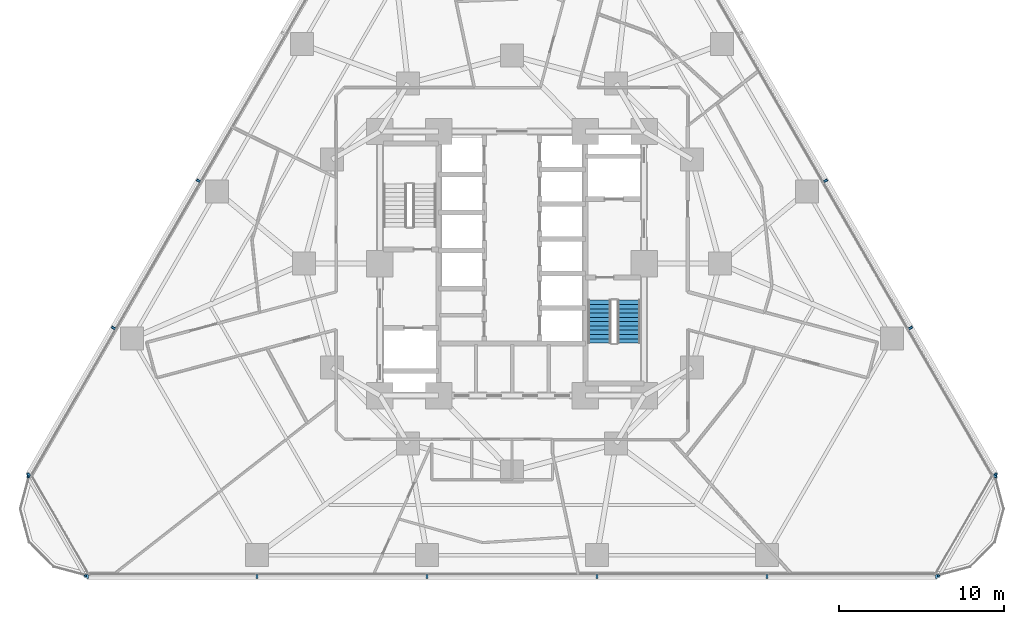
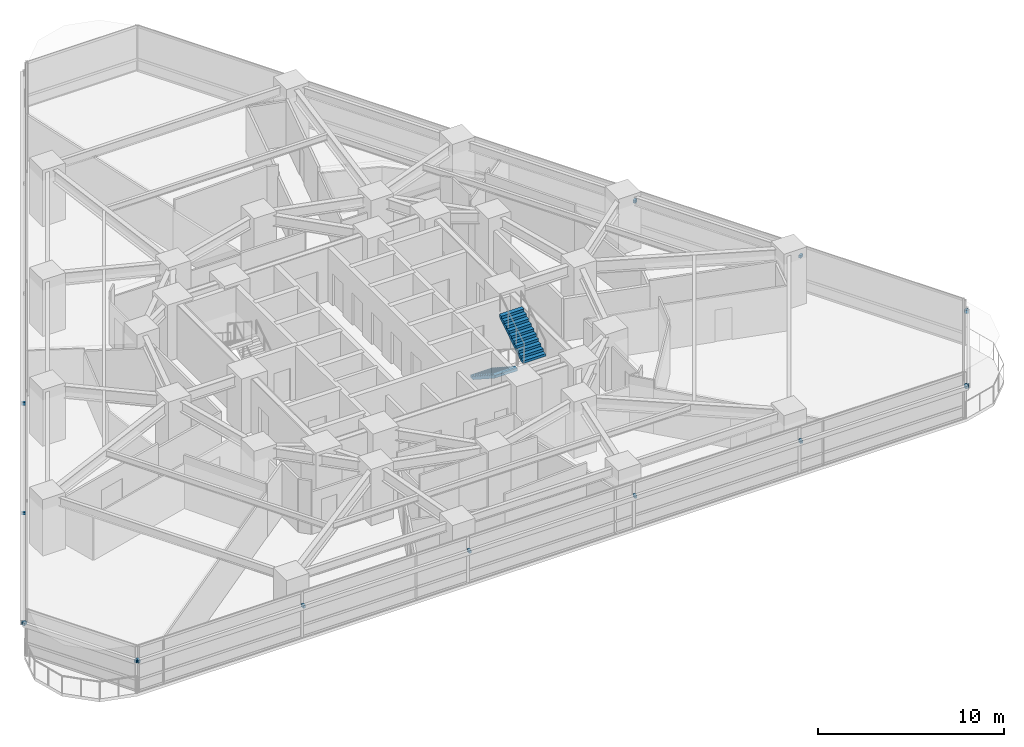
# One storey, part 11 of 15: 16 discrete accessories, 2 stair flights, 1 element without a shape of its own.
"""IFC4 building model written with IfcOpenShell, lengths in metres."""

from ifc_helpers import new_model, si_unit, direction, frame, origin, origin_2d, place, context, subcontext, project, spatial, polyline, rectangle, outline, extrude, material, type_object, element, aggregate, save


model = new_model("IFC4")

# Units and contexts
model_context = context("Model", 3, precision=1e-05, world=origin(), true_north=direction((0.0, 1.0)))
body_context = subcontext(model_context, "Body", "Model", "MODEL_VIEW")
ifc_project = project(units=[si_unit("LENGTHUNIT", "METRE"), si_unit("AREAUNIT", "SQUARE_METRE"), si_unit("VOLUMEUNIT", "CUBIC_METRE"), si_unit("PLANEANGLEUNIT", "RADIAN"), si_unit("MASSUNIT", "GRAM", prefix="KILO")], contexts=[model_context])

# Site, building, storey
site_placement = place(None, origin())
site = spatial("IfcSite", under=ifc_project, at=site_placement, CompositionType="ELEMENT")
building_placement = place(site_placement, origin())
building = spatial("IfcBuilding", under=site, at=building_placement, Name="Terralouvre Media Tower", CompositionType="ELEMENT")
storey_placement = place(building_placement, frame((0.0, 0.0, 48.199951171875)))
storey = spatial("IfcBuildingStorey", under=building, at=storey_placement, Name="L11", CompositionType="ELEMENT", Elevation=48.199951171875)

# Stair, stair flights
ifc_material_1 = material(Name="Concrete C45/55", Category="concrete")
stair_type = type_object("IfcStairType", Name="Dogleg Stair Assembly ST-02", PredefinedType="HALF_TURN_STAIR", material=ifc_material_1)
stair_placement = place(storey_placement, origin())
stair = element("IfcStair", 1, at=stair_placement, inside=storey, type_object=stair_type, Name="L11 Core Pressurised Exit Stair ST-02", PredefinedType="HALF_TURN_STAIR")
ifc_material_2 = material(Name="Concrete C45/55", Category="concrete")
stair_flight_type = type_object("IfcStairFlightType", Name="Reinforced Concrete Stair Flight SF-RC1", PredefinedType="STRAIGHT", material=ifc_material_2)
stair_flight_1_placement = place(storey_placement, frame((5.300048828125, -2.219970703125, 0.0), z_axis=(0.0, 0.0, 1.0), x_axis=(0.0, -1.0, 0.0)))
stair_flight_1 = element("IfcStairFlight", 2, at=stair_flight_1_placement, type_object=stair_flight_type, Name="ST-02 flight 1", NumberOfRisers=11, NumberOfTreads=10, PredefinedType="STRAIGHT", RiserHeight=0.168181818, TreadLength=0.26, context=body_context, shape_type="SweptSolid", body=[
    extrude(outline(polyline([(0.0, 0.0), (0.0, 0.168212890625), (0.260009765625, 0.168212890625), (0.260009765625, 0.33642578125), (0.52001953125, 0.33642578125), (0.52001953125, 0.504638671875), (0.780029296875, 0.504638671875), (0.780029296875, 0.672607421875), (1.0400390625, 0.672607421875), (1.0400390625, 0.8408203125), (1.300048828125, 0.8408203125), (1.300048828125, 1.009033203125), (1.56005859375, 1.009033203125), (1.56005859375, 1.17724609375), (1.820068359375, 1.17724609375), (1.820068359375, 1.345458984375), (2.080078125, 1.345458984375), (2.080078125, 1.513671875), (2.340087890625, 1.513671875), (2.340087890625, 1.681884765625), (2.60009765625, 1.681884765625), (2.60009765625, 1.85009765625), (2.60009765625, 1.503173828125), (0.27587890625, 0.0), (0.0, 0.0)])), frame((0.0, 0.699951171875, 0.0), z_axis=(0.0, -1.0, 0.0), x_axis=(1.0, 0.0, 0.0)), (0.0, 0.0, 1.0), 1.39990234375),
])
stair_flight_2_placement = place(storey_placement, frame((7.080078125, -4.820068359375, 1.85009765625), z_axis=(0.0, 0.0, 1.0), x_axis=(0.0, 1.0, 0.0)))
stair_flight_2 = element("IfcStairFlight", 3, at=stair_flight_2_placement, type_object=stair_flight_type, Name="ST-02 flight 2", NumberOfRisers=11, NumberOfTreads=10, PredefinedType="STRAIGHT", RiserHeight=0.168181818, TreadLength=0.26, context=body_context, shape_type="SweptSolid", body=[
    extrude(outline(polyline([(0.0, 0.0), (0.0, 0.168212890625), (0.260009765625, 0.168212890625), (0.260009765625, 0.33642578125), (0.52001953125, 0.33642578125), (0.52001953125, 0.504638671875), (0.780029296875, 0.504638671875), (0.780029296875, 0.672607421875), (1.0400390625, 0.672607421875), (1.0400390625, 0.8408203125), (1.300048828125, 0.8408203125), (1.300048828125, 1.009033203125), (1.56005859375, 1.009033203125), (1.56005859375, 1.17724609375), (1.820068359375, 1.17724609375), (1.820068359375, 1.345458984375), (2.080078125, 1.345458984375), (2.080078125, 1.513671875), (2.340087890625, 1.513671875), (2.340087890625, 1.681884765625), (2.60009765625, 1.681884765625), (2.60009765625, 1.85009765625), (2.60009765625, 1.503173828125), (0.27587890625, 0.0), (0.0, 0.0)])), frame((0.0, 0.699951171875, 0.0), z_axis=(0.0, -1.0, 0.0), x_axis=(1.0, 0.0, 0.0)), (0.0, 0.0, 1.0), 1.39990234375),
])
aggregate(stair, [stair_flight_1, stair_flight_2])

# Discrete accessories
ifc_material_3 = material(Name="Anodised extruded aluminium 6063-T6", Category="aluminium")
discrete_accessory_type = type_object("IfcDiscreteAccessoryType", Name="Mullion Stand-Off Baguette Fixing Bracket BK-01", PredefinedType="BRACKET", material=ifc_material_3)
for number, where, z_axis, x_axis, name in (
    (4, (-25.71240234375, -18.956787109375, 2.07421875), (0.0, 0.0, 1.0), (1.0, 0.0, 0.0), "CW-L11-F0 Baguette Outrigger Bracket 1.01"),
    (5, (-15.449951171875, -18.956787109375, 2.07421875), (0.0, 0.0, 1.0), (1.0, 0.0, 0.0), "CW-L11-F0 Baguette Outrigger Bracket 1.02"),
    (6, (-5.14990234375, -18.956787109375, 2.07421875), (0.0, 0.0, 1.0), (1.0, 0.0, 0.0), "CW-L11-F0 Baguette Outrigger Bracket 1.03"),
    (7, (5.14990234375, -18.956787109375, 2.07421875), (0.0, 0.0, 1.0), (1.0, 0.0, 0.0), "CW-L11-F0 Baguette Outrigger Bracket 1.04"),
    (8, (15.449951171875, -18.956787109375, 2.07421875), (0.0, 0.0, 1.0), (1.0, 0.0, 0.0), "CW-L11-F0 Baguette Outrigger Bracket 1.05"),
    (9, (25.71240234375, -18.956787109375, 2.07421875), (0.0, 0.0, 1.0), (1.0, 0.0, 0.0), "CW-L11-F0 Baguette Outrigger Bracket 1.06"),
    (10, (29.273193359375, -12.789306640625, 2.07421875), (0.0, 0.0, 1.0), (-0.499999985671, 0.866025412057, 0.0), "CW-L11-F1 Baguette Outrigger Bracket 1.01"),
    (11, (24.14208984375, -3.901611328125, 2.07421875), (0.0, 0.0, 1.0), (-0.499999985671, 0.866025412057, 0.0), "CW-L11-F1 Baguette Outrigger Bracket 1.02"),
    (12, (18.991943359375, 5.018310546875, 2.07421875), (0.0, 0.0, 1.0), (-0.499999985671, 0.866025412057, 0.0), "CW-L11-F1 Baguette Outrigger Bracket 1.03"),
    (13, (-18.991943359375, 5.018310546875, 2.07421875), (0.0, 0.0, 1.0), (-0.499999985671, -0.866025412057, 0.0), "CW-L11-F2 Baguette Outrigger Bracket 1.04"),
    (14, (-24.14208984375, -3.901611328125, 2.07421875), (0.0, 0.0, 1.0), (-0.499999985671, -0.866025412057, 0.0), "CW-L11-F2 Baguette Outrigger Bracket 1.05"),
    (15, (-29.273193359375, -12.789306640625, 2.07421875), (0.0, 0.0, 1.0), (-0.499999985671, -0.866025412057, 0.0), "CW-L11-F2 Baguette Outrigger Bracket 1.06"),
    (16, (-29.255859375, -12.88427734375, 2.07421875), (0.0, 0.0, 1.0), (0.499999691503, -0.866025581895, 0.0), "CW-L11-C0 Baguette Outrigger Bracket 1.01"),
    (17, (-25.7861328125, -18.894287109375, 2.07421875), (0.0, 0.0, 1.0), (0.499999691503, -0.866025581895, 0.0), "CW-L11-C0 Baguette Outrigger Bracket 1.02"),
    (18, (25.7861328125, -18.894287109375, 2.07421875), (0.0, 0.0, 1.0), (0.499999691503, 0.866025581895, 0.0), "CW-L11-C1 Baguette Outrigger Bracket 1.01"),
    (19, (29.255859375, -12.88427734375, 2.07421875), (0.0, 0.0, 1.0), (0.499999691503, 0.866025581895, 0.0), "CW-L11-C1 Baguette Outrigger Bracket 1.02"),
):
    element("IfcDiscreteAccessory", number, at=place(storey_placement, frame(where, z_axis=z_axis, x_axis=x_axis)), inside=storey, type_object=discrete_accessory_type, Name=name, PredefinedType="BRACKET", context=body_context, shape_type="SweptSolid", body=[
        extrude(rectangle(XDim=0.139892578125, YDim=0.239990234375, at=origin_2d()), origin(), (0.0, 0.0, 1.0), 0.179931640625),
    ])

save(model, "model.ifc")
